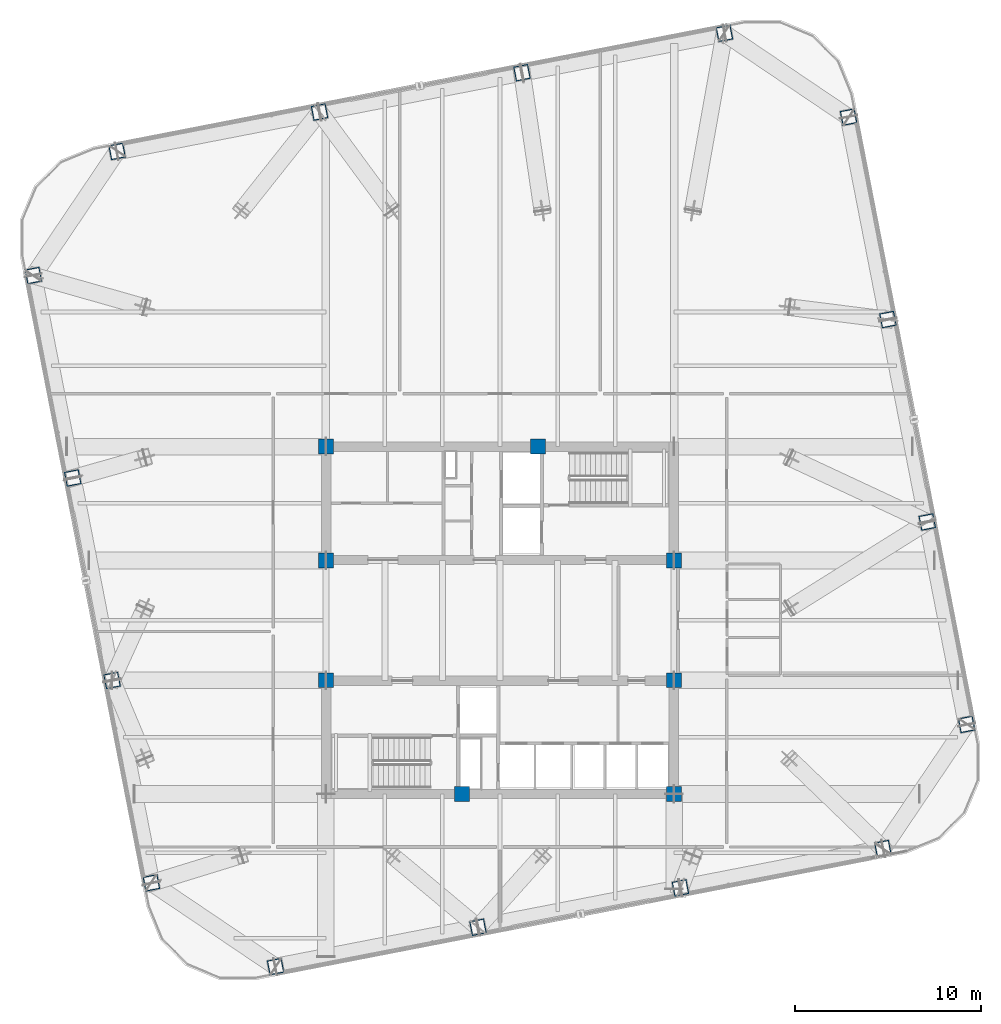
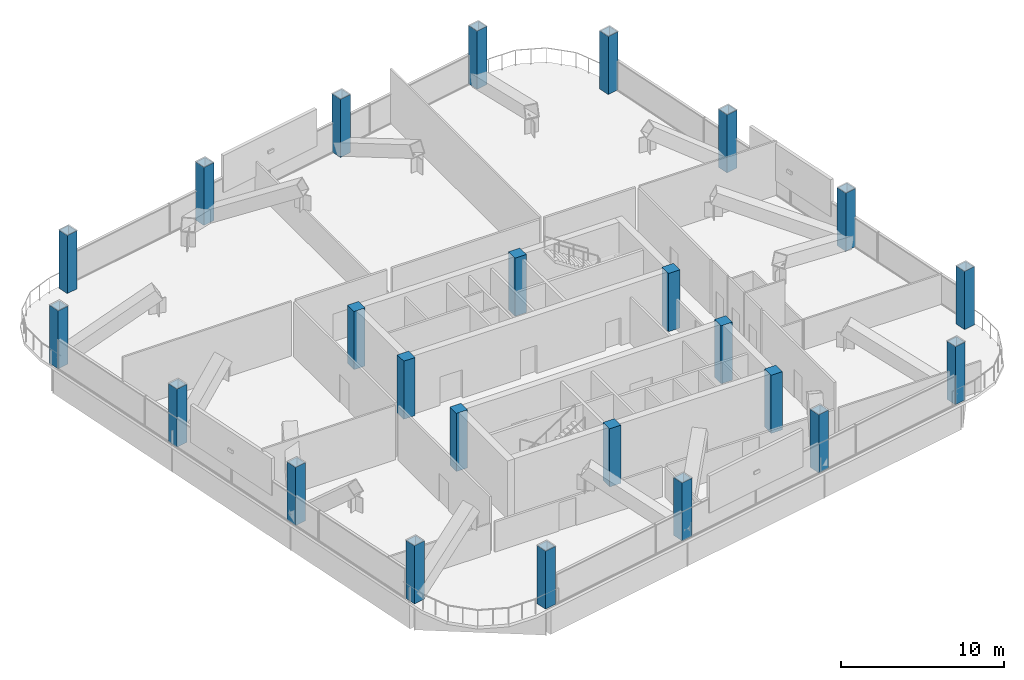
# One storey, part 1 of 26: 24 columns.
"""IFC4 building model written with IfcOpenShell, lengths in metres."""

import ifcopenshell
import ifcopenshell.guid

model = None  # the IFC model being written
_history = None  # IfcOwnerHistory: only IFC2X3 demands one
_inside = {}  # id of a spatial element -> (the spatial element, [elements in it])
_under = {}  # id of a project, library or spatial element -> (it, [spatial elements below it])
_declared = {}  # id of a project -> (the project, [libraries it declares])
_typed = {}  # id of a type object -> (the type object, [elements of that type])
_made_of = {}  # id of a material, layer set ... -> (it, [elements and type objects made of it])


def new_model(schema):
    """Start an empty IFC model of exactly this schema.

    Asked for "IFC4X3", IfcOpenShell would pick the latest addendum, in which some entities
    have other attributes; the version numbers below select the first issue.
    IFC2X3 requires an IfcOwnerHistory on every rooted entity: one is made here for all.
    """
    global model, _history
    if schema == "IFC4X3":
        model = ifcopenshell.file(schema_version=(4, 3, 0, 0))
    else:
        model = ifcopenshell.file(schema=schema)
    _inside.clear()
    _under.clear()
    _declared.clear()
    _typed.clear()
    _made_of.clear()
    _history = None
    if model.schema == "IFC2X3":
        org = make("IfcOrganization", Name="unknown")
        user = make(
            "IfcPersonAndOrganization",
            ThePerson=make("IfcPerson", FamilyName="unknown"),
            TheOrganization=org,
        )
        app = make(
            "IfcApplication",
            ApplicationDeveloper=org,
            Version="unknown",
            ApplicationFullName="unknown",
            ApplicationIdentifier="unknown",
        )
        _history = make(
            "IfcOwnerHistory",
            OwningUser=user,
            OwningApplication=app,
            ChangeAction="ADDED",
            CreationDate=0,
        )
    return model


def make(cls, **values):
    """One entity of the class cls with the attributes given. An attribute that is None is left unset."""
    return model.create_entity(
        cls, **{name: value for name, value in values.items() if value is not None}
    )


def rooted(cls, **values):
    """An entity with a GlobalId (a new one), such as an element, a storey or a relation."""
    return make(cls, GlobalId=ifcopenshell.guid.new(), OwnerHistory=_history, **values)


def si_unit(unit_type, name, prefix=None):
    """IfcSIUnit, for example si_unit("LENGTHUNIT", "METRE", prefix="MILLI")."""
    return make("IfcSIUnit", UnitType=unit_type, Prefix=prefix, Name=name)


def assignment(units):
    """IfcUnitAssignment: the units of a project."""
    return None if units is None else make("IfcUnitAssignment", Units=units)


def point(xyz):
    """IfcCartesianPoint."""
    return None if xyz is None else make("IfcCartesianPoint", Coordinates=xyz)


def direction(xyz):
    """IfcDirection."""
    return None if xyz is None else make("IfcDirection", DirectionRatios=xyz)


def frame(location, z_axis=None, x_axis=None):
    """IfcAxis2Placement3D, a coordinate frame: its origin and axes. An axis left out is left unset."""
    return make(
        "IfcAxis2Placement3D",
        Location=point(location),
        Axis=direction(z_axis),
        RefDirection=direction(x_axis),
    )


def frame_2d(location, x_axis=None):
    """IfcAxis2Placement2D, a coordinate frame in the plane: its origin and x axis."""
    return make(
        "IfcAxis2Placement2D", Location=point(location), RefDirection=direction(x_axis)
    )


def origin():
    """The frame at (0, 0, 0) with its axes left unset."""
    return frame((0.0, 0.0, 0.0))


def origin_2d():
    """The frame at (0, 0) in the plane with its x axis left unset."""
    return frame_2d((0.0, 0.0))


def place(relative_to, where):
    """IfcLocalPlacement: puts the frame where relative to a parent placement (None: the world)."""
    return make(
        "IfcLocalPlacement", PlacementRelTo=relative_to, RelativePlacement=where
    )


def context(
    kind, dimensions, precision=None, world=None, true_north=None, identifier=None
):
    """IfcGeometricRepresentationContext, for example the 3D "Model" context."""
    return make(
        "IfcGeometricRepresentationContext",
        ContextIdentifier=identifier,
        ContextType=kind,
        CoordinateSpaceDimension=dimensions,
        Precision=precision,
        WorldCoordinateSystem=world,
        TrueNorth=true_north,
    )


def subcontext(parent, identifier, kind, view, scale=None):
    """IfcGeometricRepresentationSubContext, for example "Body" below "Model"."""
    return make(
        "IfcGeometricRepresentationSubContext",
        ContextIdentifier=identifier,
        ContextType=kind,
        ParentContext=parent,
        TargetScale=scale,
        TargetView=view,
    )


def project(units=None, contexts=None):
    """IfcProject with its units and contexts."""
    return rooted(
        "IfcProject",
        Name="project",
        RepresentationContexts=contexts,
        UnitsInContext=assignment(units),
    )


def spatial(cls, under=None, at=None, **own):
    """A site, building, storey or space (cls), placed at a placement, below another one or the project."""
    s = rooted(cls, ObjectPlacement=at, **own)
    if under is not None:
        _under.setdefault(under.id(), (under, []))[1].append(s)
    return s


def profile(cls, at=None, kind="AREA", **sizes):
    """A parametric profile (cls). Its sizes go by their IFC names, for example OverallWidth=200.0."""
    return make(cls, ProfileType=kind, Position=at, **sizes)


def rectangle(**sizes):
    """IfcRectangleProfileDef."""
    return profile("IfcRectangleProfileDef", **sizes)


def hollow_rectangle(**sizes):
    """IfcRectangleHollowProfileDef."""
    return profile("IfcRectangleHollowProfileDef", **sizes)


def extrude(swept, where, along, depth):
    """IfcExtrudedAreaSolid: the profile swept, set in the frame where, extruded along a direction by depth."""
    return make(
        "IfcExtrudedAreaSolid",
        SweptArea=swept,
        Position=where,
        ExtrudedDirection=direction(along),
        Depth=depth,
    )


def shape(context_of_items, identifier, shape_type, items):
    """IfcShapeRepresentation: the items that make up one representation, for example the "Body"."""
    return make(
        "IfcShapeRepresentation",
        ContextOfItems=context_of_items,
        RepresentationIdentifier=identifier,
        RepresentationType=shape_type,
        Items=items,
    )


def material(Name=None, Category=None):
    """IfcMaterial."""
    return make("IfcMaterial", Name=Name, Category=Category)


def material_profile(
    of_material, cross_section, Name=None, Category=None, Priority=None
):
    """IfcMaterialProfile: a cross section and its material."""
    return make(
        "IfcMaterialProfile",
        Name=Name,
        Material=of_material,
        Profile=cross_section,
        Priority=Priority,
        Category=Category,
    )


def profile_set(profiles, Name=None, composite=None):
    """IfcMaterialProfileSet."""
    return make(
        "IfcMaterialProfileSet",
        Name=Name,
        MaterialProfiles=profiles,
        CompositeProfile=composite,
    )


def made_of(thing, what):
    """Note that an element or type object is made of a material, layer set ...; save() writes the relation."""
    if what is not None:
        _made_of.setdefault(what.id(), (what, []))[1].append(thing)
    return thing


def type_object(cls, material=None, **own):
    """A type object (cls), such as IfcWallType, which elements share."""
    return made_of(rooted(cls, **own), material)


def element(
    cls,
    number,
    at=None,
    inside=None,
    cuts=None,
    type_object=None,
    material=None,
    context=None,
    identifier="Body",
    shape_type=None,
    held_by="IfcProductDefinitionShape",
    body=None,
    shapes=None,
    **own,
):
    """One element of the class cls, such as IfcWall. Its Tag is "e" and its number.

    at: its placement. inside: the storey or other place that contains it. cuts: it is an
    opening in that element (IfcRelVoidsElement). A single representation is given by context,
    identifier, shape_type and body (its items); several are given by shapes. held_by: the class
    of the entity that holds the representations. save() writes the other relations.
    """
    e = rooted(cls, Tag="e%d" % number, ObjectPlacement=at, **own)
    if body is not None:
        shapes = [shape(context, identifier, shape_type, body)]
    if shapes is not None:
        e.Representation = make(held_by, Representations=shapes)
    if inside is not None:
        _inside.setdefault(inside.id(), (inside, []))[1].append(e)
    if cuts is not None:
        rooted(
            "IfcRelVoidsElement", RelatingBuildingElement=cuts, RelatedOpeningElement=e
        )
    if type_object is not None:
        _typed.setdefault(type_object.id(), (type_object, []))[1].append(e)
    return made_of(e, material)


def aggregate(whole, parts):
    """IfcRelAggregates: a whole, such as a stair, and the parts it consists of."""
    return rooted("IfcRelAggregates", RelatingObject=whole, RelatedObjects=parts)


def save(model, path):
    """Write the relations noted so far, then the file.

    IfcRelAggregates (storeys below a building ...), IfcRelContainedInSpatialStructure (elements
    in a storey), IfcRelDefinesByType, IfcRelAssociatesMaterial and IfcRelDeclares: one each for
    every whole, place, type object, material and project.
    """
    for whole, parts in _under.values():
        aggregate(whole, parts)
    for where, things in _inside.values():
        rooted(
            "IfcRelContainedInSpatialStructure",
            RelatedElements=things,
            RelatingStructure=where,
        )
    for kind, things in _typed.values():
        rooted("IfcRelDefinesByType", RelatedObjects=things, RelatingType=kind)
    for what, things in _made_of.values():
        rooted("IfcRelAssociatesMaterial", RelatedObjects=things, RelatingMaterial=what)
    for by, libraries in _declared.values():
        rooted("IfcRelDeclares", RelatingContext=by, RelatedDefinitions=libraries)
    model.write(path)


model = new_model("IFC4")

# Units and contexts
model_context = context("Model", 3, precision=1e-05, world=origin(), true_north=direction((0.0, 1.0)))
body_context = subcontext(model_context, "Body", "Model", "MODEL_VIEW")
ifc_project = project(units=[si_unit("LENGTHUNIT", "METRE"), si_unit("AREAUNIT", "SQUARE_METRE"), si_unit("VOLUMEUNIT", "CUBIC_METRE"), si_unit("PLANEANGLEUNIT", "RADIAN"), si_unit("MASSUNIT", "GRAM", prefix="KILO")], contexts=[model_context])

# Site, building, storey
site_placement = place(None, origin())
site = spatial("IfcSite", under=ifc_project, at=site_placement, CompositionType="ELEMENT")
building_placement = place(site_placement, origin())
building = spatial("IfcBuilding", under=site, at=building_placement, Name="Qhalaya Broadcast Tower", CompositionType="ELEMENT")
storey_placement = place(building_placement, frame((0.0, 0.0, 140.25)))
storey = spatial("IfcBuildingStorey", under=building, at=storey_placement, Name="L41", CompositionType="ELEMENT", Elevation=140.25)

# Columns
ifc_material_1 = material(Name="Concrete C50/60", Category="concrete")
ifc_material_profile_1 = material_profile(ifc_material_1, rectangle(XDim=0.800048828125, YDim=0.800048828125, at=origin_2d()), Name="RC-COL 800x800")
ifc_profile_set_1 = profile_set([ifc_material_profile_1], Name="Concrete C50/60")
column_type_1 = type_object("IfcColumnType", Name="RC Upper Column C10", PredefinedType="COLUMN", material=ifc_profile_set_1)
for number, where, z_axis, x_axis, name in (
    (1, (-9.375, 9.949951171875, 0.0), (0.0, 0.0, 1.0), (1.0, 0.0, 0.0), "L41 Column COL-CC1"),
    (2, (2.050048828125, 9.949951171875, 0.0), (0.0, 0.0, 1.0), (1.0, 0.0, 0.0), "L41 Column COL-CC2"),
    (3, (-9.375, 3.824951171875, 0.0), (0.0, 0.0, 1.0), (1.0, 0.0, 0.0), "L41 Column COL-CC3"),
    (4, (9.375, 3.824951171875, 0.0), (0.0, 0.0, 1.0), (1.0, 0.0, 0.0), "L41 Column COL-CC4"),
    (5, (-9.375, -2.625, 0.0), (0.0, 0.0, 1.0), (1.0, 0.0, 0.0), "L41 Column COL-CC5"),
    (6, (9.375, -2.625, 0.0), (0.0, 0.0, 1.0), (1.0, 0.0, 0.0), "L41 Column COL-CC6"),
    (7, (-2.050048828125, -8.75, 0.0), (0.0, 0.0, 1.0), (1.0, 0.0, 0.0), "L41 Column COL-CC7"),
    (8, (9.375, -8.75, 0.0), (0.0, 0.0, 1.0), (1.0, 0.0, 0.0), "L41 Column COL-CC8"),
):
    element("IfcColumn", number, at=place(storey_placement, frame(where, z_axis=z_axis, x_axis=x_axis)), inside=storey, type_object=column_type_1, Name=name, PredefinedType="COLUMN", context=body_context, shape_type="SweptSolid", body=[
        extrude(rectangle(XDim=0.800048828125, YDim=0.800048828125, at=origin_2d()), origin(), (0.0, 0.0, 1.0), 4.35009765625),
    ])
ifc_material_2 = material(Name="Structural Steel ASTM A572 Grade 50", Category="steel")
ifc_material_profile_2 = material_profile(ifc_material_2, hollow_rectangle(XDim=0.800048828125, YDim=0.800048828125, WallThickness=0.050048828125, at=origin_2d()), Name="BOX 800x800x50")
ifc_profile_set_2 = profile_set([ifc_material_profile_2], Name="Structural Steel ASTM A572 Grade 50")
column_type_2 = type_object("IfcColumnType", Name="Steel Box Column C03", PredefinedType="COLUMN", material=ifc_profile_set_2)
for number, where, z_axis, x_axis, name in (
    (9, (-12.07958984375, -18.036376953125, 0.0), (0.0, 0.0, 1.0), (0.981627183448, 0.190808995377, 0.0), "L41 Column COL-EX01"),
    (10, (-1.183349609375, -15.91845703125, 0.0), (0.0, 0.0, 1.0), (0.981627183448, 0.190808995377, 0.0), "L41 Column COL-EX02"),
    (11, (9.712646484375, -13.80029296875, 0.0), (0.0, 0.0, 1.0), (0.981627183448, 0.190808995377, 0.0), "L41 Column COL-EX03"),
    (12, (20.608642578125, -11.682373046875, 0.0), (0.0, 0.0, 1.0), (0.981627183448, 0.190808995377, 0.0), "L41 Column COL-EX04"),
    (13, (25.1162109375, -4.99951171875, 0.0), (0.0, 0.0, 1.0), (-0.190808995377, 0.981627183448, 0.0), "L41 Column COL-EX05"),
    (14, (22.998291015625, 5.896484375, 0.0), (0.0, 0.0, 1.0), (-0.190808995377, 0.981627183448, 0.0), "L41 Column COL-EX06"),
    (15, (20.88037109375, 16.79248046875, 0.0), (0.0, 0.0, 1.0), (-0.190808995377, 0.981627183448, 0.0), "L41 Column COL-EX07"),
    (16, (18.762451171875, 27.688720703125, 0.0), (0.0, 0.0, 1.0), (-0.190808995377, 0.981627183448, 0.0), "L41 Column COL-EX08"),
    (17, (12.07958984375, 32.1962890625, 0.0), (0.0, 0.0, 1.0), (0.981627183448, 0.190808995377, 0.0), "L41 Column COL-EX09"),
    (18, (1.183349609375, 30.078369140625, 0.0), (0.0, 0.0, 1.0), (0.981627183448, 0.190808995377, 0.0), "L41 Column COL-EX10"),
    (19, (-9.712646484375, 27.96044921875, 0.0), (0.0, 0.0, 1.0), (0.981627183448, 0.190808995377, 0.0), "L41 Column COL-EX11"),
    (20, (-20.608642578125, 25.84228515625, 0.0), (0.0, 0.0, 1.0), (0.981627183448, 0.190808995377, 0.0), "L41 Column COL-EX12"),
    (21, (-25.1162109375, 19.159423828125, 0.0), (0.0, 0.0, 1.0), (-0.190808995377, 0.981627183448, 0.0), "L41 Column COL-EX13"),
    (22, (-22.998291015625, 8.263427734375, 0.0), (0.0, 0.0, 1.0), (-0.190808995377, 0.981627183448, 0.0), "L41 Column COL-EX14"),
    (23, (-20.88037109375, -2.632568359375, 0.0), (0.0, 0.0, 1.0), (-0.190808995377, 0.981627183448, 0.0), "L41 Column COL-EX15"),
    (24, (-18.762451171875, -13.52880859375, 0.0), (0.0, 0.0, 1.0), (-0.190808995377, 0.981627183448, 0.0), "L41 Column COL-EX16"),
):
    element("IfcColumn", number, at=place(storey_placement, frame(where, z_axis=z_axis, x_axis=x_axis)), inside=storey, type_object=column_type_2, Name=name, PredefinedType="COLUMN", context=body_context, shape_type="SweptSolid", body=[
        extrude(hollow_rectangle(XDim=0.800048828125, YDim=0.800048828125, WallThickness=0.050048828125, at=origin_2d()), origin(), (0.0, 0.0, 1.0), 4.35009765625),
    ])

save(model, "model.ifc")
